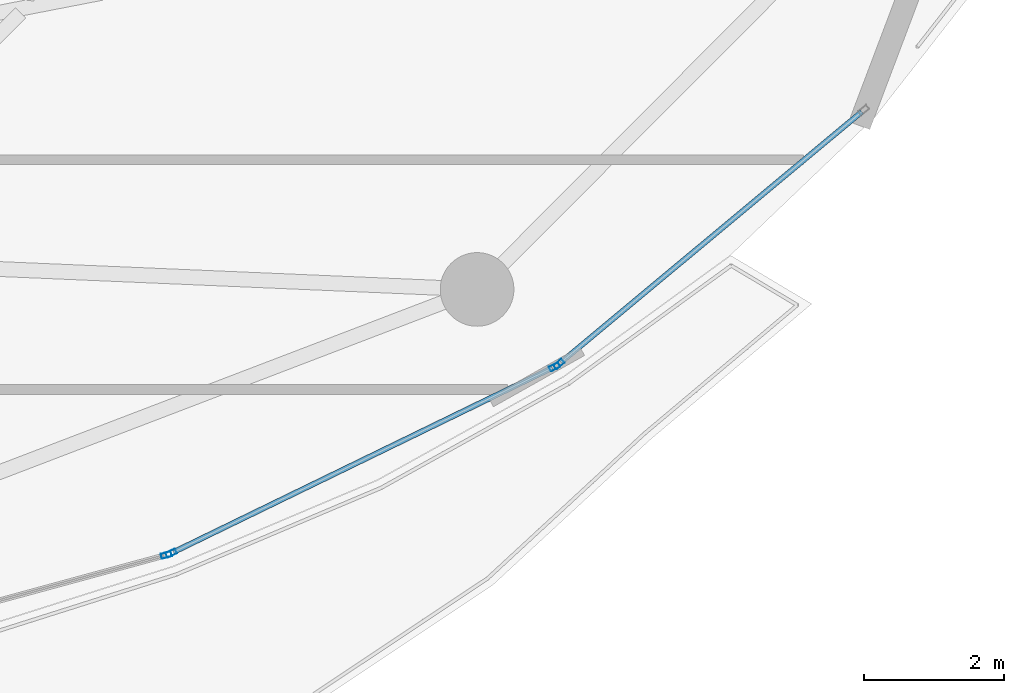
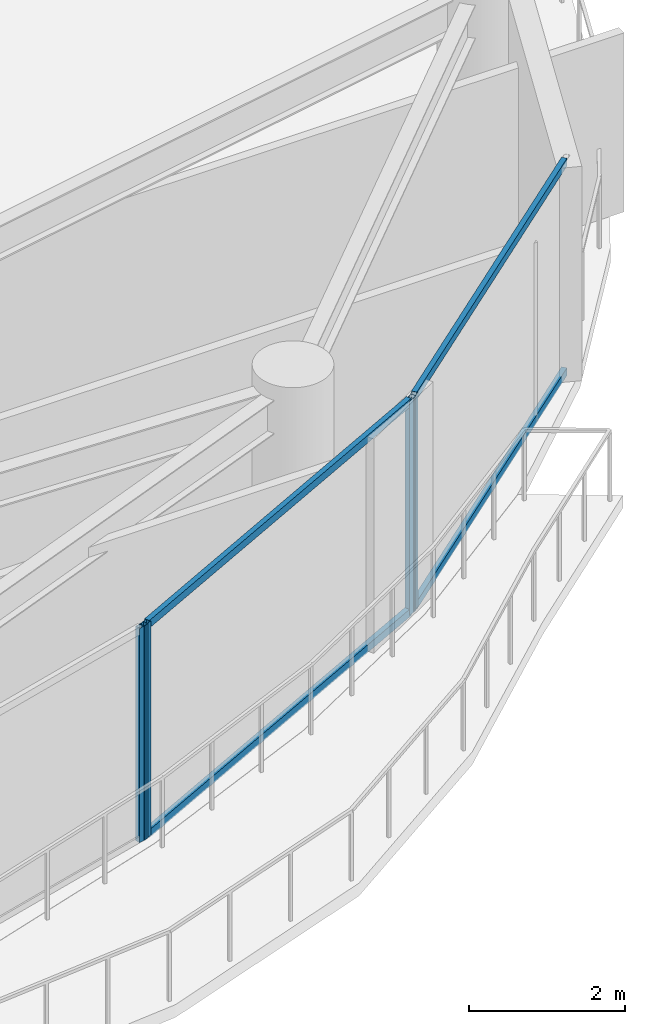
# One storey, part 12 of 28: 8 members, 3 elements without a shape of their own.
"""IFC4 building model written with IfcOpenShell, lengths in metres."""

from ifc_helpers import new_model, si_unit, direction, frame, origin, origin_2d, place, context, subcontext, project, spatial, hollow_rectangle, extrude, material, layer, layer_set, material_profile, profile_set, type_object, element, aggregate, save


model = new_model("IFC4")

# Units and contexts
model_context = context("Model", 3, precision=1e-05, world=origin(), true_north=direction((0.0, 1.0)))
body_context = subcontext(model_context, "Body", "Model", "MODEL_VIEW")
ifc_project = project(units=[si_unit("LENGTHUNIT", "METRE"), si_unit("AREAUNIT", "SQUARE_METRE"), si_unit("VOLUMEUNIT", "CUBIC_METRE"), si_unit("PLANEANGLEUNIT", "RADIAN"), si_unit("MASSUNIT", "GRAM", prefix="KILO")], contexts=[model_context])

# Site, building, storey
site_placement = place(None, origin())
site = spatial("IfcSite", under=ifc_project, at=site_placement, CompositionType="ELEMENT")
building_placement = place(site_placement, origin())
building = spatial("IfcBuilding", under=site, at=building_placement, Name="Kazevale Care Tower and Concert Hall", CompositionType="ELEMENT")
storey_placement = place(building_placement, frame((0.0, 0.0, 228.0)))
storey = spatial("IfcBuildingStorey", under=building, at=storey_placement, Name="L60", CompositionType="ELEMENT", Elevation=228.0)

# Curtain wall, member
ifc_material_1 = material(Name="Aluminium 6063-T6 and Low-E Glass", Category="aluminium")
ifc_layer = layer(ifc_material_1, 0.179931640625)
ifc_layer_set = layer_set([ifc_layer], Name="Aluminium 6063-T6 and Low-E Glass")
curtain_wall_type = type_object("IfcCurtainWallType", Name="Sheltered Concave Balcony Curtain Wall CW-5", PredefinedType="NOTDEFINED", material=ifc_layer_set)
curtain_wall_1_placement = place(storey_placement, origin())
curtain_wall_1 = element("IfcCurtainWall", 1, at=curtain_wall_1_placement, inside=storey, type_object=curtain_wall_type, Name="cw:L60:f02", PredefinedType="NOTDEFINED")
ifc_material_2 = material(Name="Aluminium 6063-T6", Category="aluminium")
ifc_material_profile_1 = material_profile(ifc_material_2, hollow_rectangle(XDim=0.074951171875, YDim=0.14990234375, WallThickness=0.00390625, at=origin_2d()), Name="ALU75x150x4")
ifc_profile_set_1 = profile_set([ifc_material_profile_1], Name="Aluminium 6063-T6")
member_type_1 = type_object("IfcMemberType", Name="CW-5 Mullion ALU75x150x4", PredefinedType="MULLION", material=ifc_profile_set_1)
member_1_placement = place(storey_placement, frame((67.417724609375, 21.5869140625, 0.0), z_axis=(0.0, 0.0, 1.0), x_axis=(0.639961217204, -0.768407210062, 0.0)))
member_1 = element("IfcMember", 2, at=member_1_placement, type_object=member_type_1, Name="CW-5 mullion 2", PredefinedType="MULLION", context=body_context, shape_type="SweptSolid", body=[
    extrude(hollow_rectangle(XDim=0.074951171875, YDim=0.14990234375, WallThickness=0.00390625, at=origin_2d()), origin(), (0.0, 0.0, 1.0), 3.360107421875),
])

# Curtain wall, members
curtain_wall_2_placement = place(storey_placement, origin())
curtain_wall_2 = element("IfcCurtainWall", 3, at=curtain_wall_2_placement, inside=storey, type_object=curtain_wall_type, Name="cw:L60:f03", PredefinedType="NOTDEFINED")
member_2_placement = place(storey_placement, frame((67.355224609375, 21.546630859375, 0.0), z_axis=(0.0, 0.0, 1.0), x_axis=(0.437238357087, -0.89934566163, 0.0)))
member_2 = element("IfcMember", 4, at=member_2_placement, type_object=member_type_1, Name="CW-5 mullion 1", PredefinedType="MULLION", context=body_context, shape_type="SweptSolid", body=[
    extrude(hollow_rectangle(XDim=0.074951171875, YDim=0.14990234375, WallThickness=0.00390625, at=origin_2d()), origin(), (0.0, 0.0, 1.0), 3.360107421875),
])
member_3_placement = place(storey_placement, frame((61.8896484375, 18.889404296875, 0.0), z_axis=(0.0, 0.0, 1.0), x_axis=(0.437238357087, -0.89934566163, 0.0)))
member_3 = element("IfcMember", 5, at=member_3_placement, type_object=member_type_1, Name="CW-5 mullion 2", PredefinedType="MULLION", context=body_context, shape_type="SweptSolid", body=[
    extrude(hollow_rectangle(XDim=0.074951171875, YDim=0.14990234375, WallThickness=0.00390625, at=origin_2d()), origin(), (0.0, 0.0, 1.0), 3.360107421875),
])

# Curtain wall, member
curtain_wall_3_placement = place(storey_placement, origin())
curtain_wall_3 = element("IfcCurtainWall", 6, at=curtain_wall_3_placement, inside=storey, type_object=curtain_wall_type, Name="cw:L60:f04", PredefinedType="NOTDEFINED")
member_4_placement = place(storey_placement, frame((61.81982421875, 18.863037109375, 0.0), z_axis=(0.0, 0.0, 1.0), x_axis=(0.262848968947, -0.964836991167, 0.0)))
member_4 = element("IfcMember", 7, at=member_4_placement, type_object=member_type_1, Name="CW-5 mullion 1", PredefinedType="MULLION", context=body_context, shape_type="SweptSolid", body=[
    extrude(hollow_rectangle(XDim=0.074951171875, YDim=0.14990234375, WallThickness=0.00390625, at=origin_2d()), origin(), (0.0, 0.0, 1.0), 3.360107421875),
])
aggregate(curtain_wall_3, [member_4])

# Member
ifc_material_profile_2 = material_profile(ifc_material_2, hollow_rectangle(XDim=0.074951171875, YDim=0.1201171875, WallThickness=0.00390625, at=origin_2d()), Name="ALU75x120x4")
ifc_profile_set_2 = profile_set([ifc_material_profile_2], Name="Aluminium 6063-T6")
member_type_2 = type_object("IfcMemberType", Name="CW-5 Transom ALU75x120x4", PredefinedType="USERDEFINED", material=ifc_profile_set_2)
member_5_placement = place(storey_placement, frame((71.734375, 25.181884765625, 0.03759765625), z_axis=(-0.768432829708, -0.639930454211, 0.0), x_axis=(0.639930454211, -0.768432829708, 0.0)))
member_5 = element("IfcMember", 8, at=member_5_placement, type_object=member_type_2, Name="CW-5 transom 1.1", ObjectType="TRANSOM", PredefinedType="USERDEFINED", context=body_context, shape_type="SweptSolid", body=[
    extrude(hollow_rectangle(XDim=0.074951171875, YDim=0.1201171875, WallThickness=0.00390625, at=origin_2d()), origin(), (0.0, 0.0, 1.0), 5.580078125),
])

member_6_placement = place(storey_placement, frame((71.734375, 25.181884765625, 3.322509765625), z_axis=(-0.768432829708, -0.639930454211, 0.0), x_axis=(0.639930454211, -0.768432829708, 0.0)))
member_6 = element("IfcMember", 9, at=member_6_placement, type_object=member_type_2, Name="CW-5 transom 1.2", ObjectType="TRANSOM", PredefinedType="USERDEFINED", context=body_context, shape_type="SweptSolid", body=[
    extrude(hollow_rectangle(XDim=0.074951171875, YDim=0.1201171875, WallThickness=0.00390625, at=origin_2d()), origin(), (0.0, 0.0, 1.0), 5.580078125),
])

aggregate(curtain_wall_1, [member_1, member_5, member_6])

member_7_placement = place(storey_placement, frame((67.321533203125, 21.5302734375, 0.03759765625), z_axis=(-0.899342308406, -0.437245254189, 0.0), x_axis=(0.437245254189, -0.899342308406, 0.0)))
member_7 = element("IfcMember", 10, at=member_7_placement, type_object=member_type_2, Name="CW-5 transom 1.1", ObjectType="TRANSOM", PredefinedType="USERDEFINED", context=body_context, shape_type="SweptSolid", body=[
    extrude(hollow_rectangle(XDim=0.074951171875, YDim=0.1201171875, WallThickness=0.00390625, at=origin_2d()), origin(), (0.0, 0.0, 1.0), 6.00244140625),
])

member_8_placement = place(storey_placement, frame((67.321533203125, 21.5302734375, 3.322509765625), z_axis=(-0.899342308406, -0.437245254189, 0.0), x_axis=(0.437245254189, -0.899342308406, 0.0)))
member_8 = element("IfcMember", 11, at=member_8_placement, type_object=member_type_2, Name="CW-5 transom 1.2", ObjectType="TRANSOM", PredefinedType="USERDEFINED", context=body_context, shape_type="SweptSolid", body=[
    extrude(hollow_rectangle(XDim=0.074951171875, YDim=0.1201171875, WallThickness=0.00390625, at=origin_2d()), origin(), (0.0, 0.0, 1.0), 6.00244140625),
])

aggregate(curtain_wall_2, [member_2, member_3, member_7, member_8])

save(model, "model.ifc")
